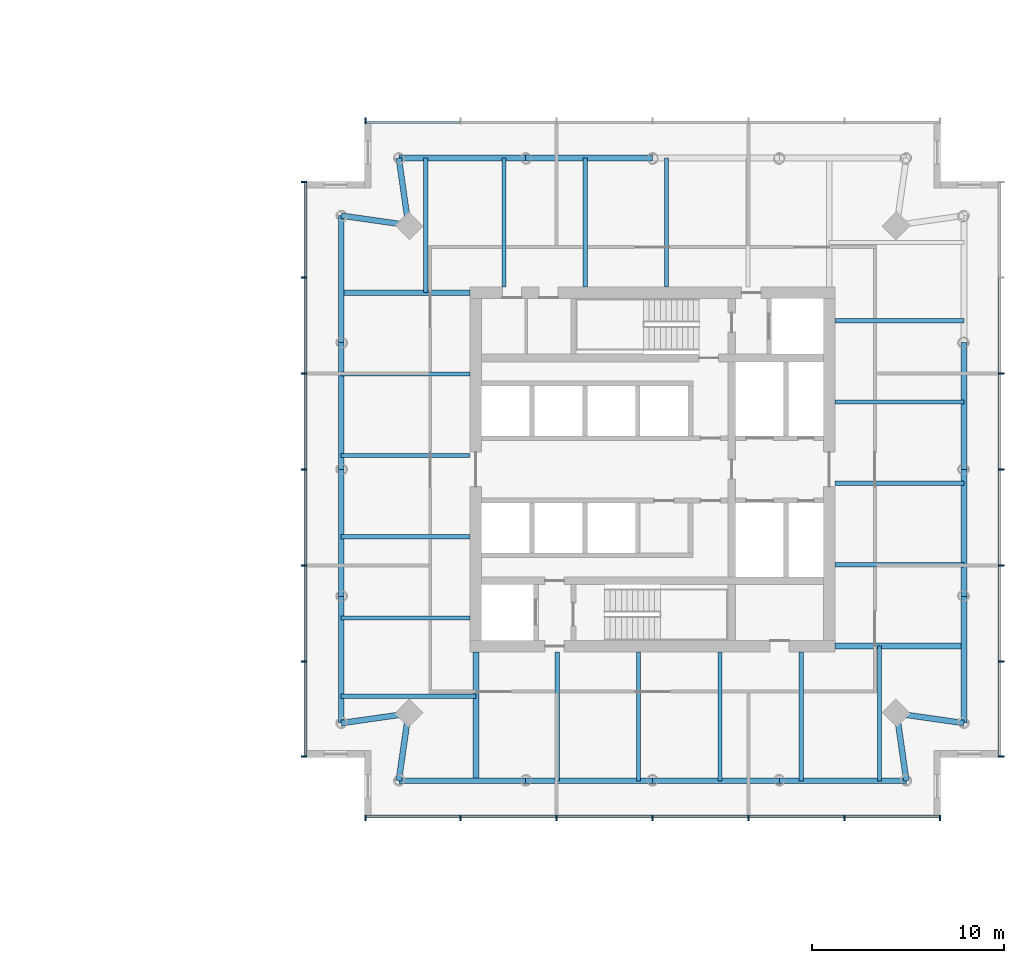
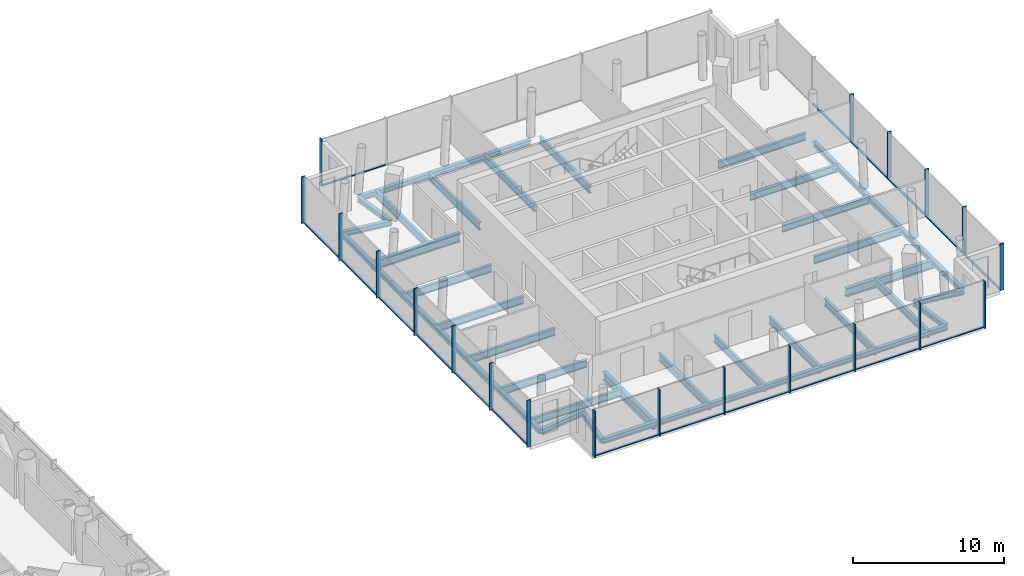
# One storey, part 6 of 18: 40 beams, 38 members, 4 elements without a shape of their own.
"""IFC4 building model written with IfcOpenShell, lengths in metres."""

from ifc_helpers import new_model, si_unit, direction, frame, origin, origin_2d, place, context, subcontext, project, spatial, rectangle, i_section, extrude, material, material_profile, profile_set, type_object, element, aggregate, save


model = new_model("IFC4")

# Units and contexts
model_context = context("Model", 3, precision=1e-05, world=origin(), true_north=direction((0.0, 1.0)))
body_context = subcontext(model_context, "Body", "Model", "MODEL_VIEW")
ifc_project = project(units=[si_unit("LENGTHUNIT", "METRE"), si_unit("AREAUNIT", "SQUARE_METRE"), si_unit("VOLUMEUNIT", "CUBIC_METRE"), si_unit("PLANEANGLEUNIT", "RADIAN"), si_unit("MASSUNIT", "GRAM", prefix="KILO")], contexts=[model_context])

# Site, building, storey
site_placement = place(None, origin())
site = spatial("IfcSite", under=ifc_project, at=site_placement, CompositionType="ELEMENT")
building_placement = place(site_placement, origin())
building = spatial("IfcBuilding", under=site, at=building_placement, Name="Ostroluk Exchange", CompositionType="ELEMENT")
storey_placement = place(building_placement, frame((0.0, 0.0, 85.60009765625)))
storey = spatial("IfcBuildingStorey", under=building, at=storey_placement, Name="L21", CompositionType="ELEMENT", Elevation=85.60009765625)

# Beams
ifc_material_1 = material(Name="Steel S355", Category="steel")
ifc_material_profile_1 = material_profile(ifc_material_1, i_section(OverallWidth=0.300048828125, OverallDepth=0.39990234375, WebThickness=0.013427734375, FlangeThickness=0.02392578125, FilletRadius=0.027099609375, at=origin_2d()), Name="HEB 400")
ifc_profile_set_1 = profile_set([ifc_material_profile_1], Name="Steel S355")
beam_type_1 = type_object("IfcBeamType", Name="Corner edge beam HEB 400", PredefinedType="SPANDREL", material=ifc_profile_set_1)
for number, where, z_axis, x_axis, name in (
    (1, (104.284423828125, 58.715576171875, -0.47998046875), (-0.141421356237, 0.989949493661, 0.0), (-0.989949493661, -0.141421356237, 0.0), "T2 north corner edge beam a"),
    (2, (104.284423828125, 58.715576171875, -0.47998046875), (-0.989949493661, 0.141421356237, 0.0), (-0.141421356237, -0.989949493661, 0.0), "T2 north corner edge beam b"),
    (3, (104.284423828125, 33.284423828125, -0.47998046875), (-0.989949493661, -0.141421356237, 0.0), (0.141421356237, -0.989949493661, 0.0), "T2 west corner edge beam a"),
    (4, (104.284423828125, 33.284423828125, -0.47998046875), (-0.141421356237, -0.989949493661, 0.0), (0.989949493661, -0.141421356237, 0.0), "T2 west corner edge beam b"),
    (5, (129.715576171875, 33.284423828125, -0.47998046875), (0.141421356237, -0.989949493661, 0.0), (0.989949493661, 0.141421356237, 0.0), "T2 south corner edge beam a"),
    (6, (129.715576171875, 33.284423828125, -0.47998046875), (0.989949493661, -0.141421356237, 0.0), (0.141421356237, 0.989949493661, 0.0), "T2 south corner edge beam b"),
):
    element("IfcBeam", number, at=place(storey_placement, frame(where, z_axis=z_axis, x_axis=x_axis)), inside=storey, type_object=beam_type_1, Name=name, PredefinedType="SPANDREL", context=body_context, shape_type="SweptSolid", body=[
        extrude(i_section(OverallWidth=0.300048828125, OverallDepth=0.39990234375, WebThickness=0.013427734375, FlangeThickness=0.02392578125, FilletRadius=0.027099609375, at=origin_2d()), origin(), (0.0, 0.0, 1.0), 3.53564453125),
    ])
ifc_material_2 = material(Name="Steel S355", Category="steel")
ifc_material_profile_2 = material_profile(ifc_material_2, i_section(OverallWidth=0.219970703125, OverallDepth=0.60009765625, WebThickness=0.011962890625, FlangeThickness=0.01904296875, FilletRadius=0.02392578125, at=origin_2d()), Name="IPE 600")
ifc_profile_set_2 = profile_set([ifc_material_profile_2], Name="Steel S355")
beam_type_2 = type_object("IfcBeamType", Name="Floor beam IPE 600", PredefinedType="BEAM", material=ifc_profile_set_2)
for number, where, z_axis, x_axis, name in (
    (7, (126.5, 41.035888671875, -0.580078125), (1.0, 0.0, 0.0), (0.0, 1.0, 0.0), "T2 east floor beam 1"),
    (8, (126.5, 45.271728515625, -0.580078125), (1.0, 0.0, 0.0), (0.0, 1.0, 0.0), "T2 east floor beam 2"),
    (9, (126.5, 49.5078125, -0.580078125), (1.0, 0.0, 0.0), (0.0, 1.0, 0.0), "T2 east floor beam 3"),
    (10, (126.5, 53.74365234375, -0.580078125), (1.0, 0.0, 0.0), (0.0, 1.0, 0.0), "T2 east floor beam 4"),
    (11, (117.728271484375, 55.5, -0.580078125), (0.0, 1.0, 0.0), (-1.0, 0.0, 0.0), "T2 north floor beam 2"),
    (12, (113.4921875, 55.5, -0.580078125), (0.0, 1.0, 0.0), (-1.0, 0.0, 0.0), "T2 north floor beam 3"),
    (13, (109.25634765625, 55.5, -0.580078125), (0.0, 1.0, 0.0), (-1.0, 0.0, 0.0), "T2 north floor beam 4"),
):
    element("IfcBeam", number, at=place(storey_placement, frame(where, z_axis=z_axis, x_axis=x_axis)), inside=storey, type_object=beam_type_2, Name=name, PredefinedType="BEAM", context=body_context, shape_type="SweptSolid", body=[
        extrude(i_section(OverallWidth=0.219970703125, OverallDepth=0.60009765625, WebThickness=0.011962890625, FlangeThickness=0.01904296875, FilletRadius=0.02392578125, at=origin_2d()), origin(), (0.0, 0.0, 1.0), 6.715576171875),
    ])
beam_1_placement = place(storey_placement, frame((105.1845703125, 55.199951171875, -0.580078125), z_axis=(0.0, 1.0, 0.0), x_axis=(-1.0, 0.0, 0.0)))
element("IfcBeam", 14, at=beam_1_placement, inside=storey, type_object=beam_type_2, Name="T2 north floor beam 5", PredefinedType="BEAM", context=body_context, shape_type="SweptSolid", body=[
    extrude(i_section(OverallWidth=0.219970703125, OverallDepth=0.60009765625, WebThickness=0.011962890625, FlangeThickness=0.01904296875, FilletRadius=0.02392578125, at=origin_2d()), origin(), (0.0, 0.0, 1.0), 7.015625),
])
for number, where, z_axis, x_axis, name in (
    (15, (107.5, 50.964111328125, -0.580078125), (-1.0, 0.0, 0.0), (0.0, -1.0, 0.0), "T2 west floor beam 1"),
    (16, (107.5, 46.728271484375, -0.580078125), (-1.0, 0.0, 0.0), (0.0, -1.0, 0.0), "T2 west floor beam 2"),
    (17, (107.5, 42.4921875, -0.580078125), (-1.0, 0.0, 0.0), (0.0, -1.0, 0.0), "T2 west floor beam 3"),
    (18, (107.5, 38.25634765625, -0.580078125), (-1.0, 0.0, 0.0), (0.0, -1.0, 0.0), "T2 west floor beam 4"),
):
    element("IfcBeam", number, at=place(storey_placement, frame(where, z_axis=z_axis, x_axis=x_axis)), inside=storey, type_object=beam_type_2, Name=name, PredefinedType="BEAM", context=body_context, shape_type="SweptSolid", body=[
        extrude(i_section(OverallWidth=0.219970703125, OverallDepth=0.60009765625, WebThickness=0.011962890625, FlangeThickness=0.01904296875, FilletRadius=0.02392578125, at=origin_2d()), origin(), (0.0, 0.0, 1.0), 6.715576171875),
    ])
beam_2_placement = place(storey_placement, frame((107.800048828125, 34.1845703125, -0.580078125), z_axis=(-1.0, 0.0, 0.0), x_axis=(0.0, -1.0, 0.0)))
element("IfcBeam", 19, at=beam_2_placement, inside=storey, type_object=beam_type_2, Name="T2 west floor beam 5", PredefinedType="BEAM", context=body_context, shape_type="SweptSolid", body=[
    extrude(i_section(OverallWidth=0.219970703125, OverallDepth=0.60009765625, WebThickness=0.011962890625, FlangeThickness=0.01904296875, FilletRadius=0.02392578125, at=origin_2d()), origin(), (0.0, 0.0, 1.0), 7.015625),
])
for number, where, z_axis, x_axis, name in (
    (20, (112.035888671875, 36.5, -0.580078125), (0.0, -1.0, 0.0), (1.0, 0.0, 0.0), "T2 south floor beam 1"),
    (21, (116.271728515625, 36.5, -0.580078125), (0.0, -1.0, 0.0), (1.0, 0.0, 0.0), "T2 south floor beam 2"),
    (22, (120.5078125, 36.5, -0.580078125), (0.0, -1.0, 0.0), (1.0, 0.0, 0.0), "T2 south floor beam 3"),
    (23, (124.74365234375, 36.5, -0.580078125), (0.0, -1.0, 0.0), (1.0, 0.0, 0.0), "T2 south floor beam 4"),
):
    element("IfcBeam", number, at=place(storey_placement, frame(where, z_axis=z_axis, x_axis=x_axis)), inside=storey, type_object=beam_type_2, Name=name, PredefinedType="BEAM", context=body_context, shape_type="SweptSolid", body=[
        extrude(i_section(OverallWidth=0.219970703125, OverallDepth=0.60009765625, WebThickness=0.011962890625, FlangeThickness=0.01904296875, FilletRadius=0.02392578125, at=origin_2d()), origin(), (0.0, 0.0, 1.0), 6.715576171875),
    ])
beam_3_placement = place(storey_placement, frame((128.8154296875, 36.800048828125, -0.580078125), z_axis=(0.0, -1.0, 0.0), x_axis=(1.0, 0.0, 0.0)))
element("IfcBeam", 24, at=beam_3_placement, inside=storey, type_object=beam_type_2, Name="T2 south floor beam 5", PredefinedType="BEAM", context=body_context, shape_type="SweptSolid", body=[
    extrude(i_section(OverallWidth=0.219970703125, OverallDepth=0.60009765625, WebThickness=0.011962890625, FlangeThickness=0.01904296875, FilletRadius=0.02392578125, at=origin_2d()), origin(), (0.0, 0.0, 1.0), 7.015625),
])
ifc_material_3 = material(Name="Steel S355", Category="steel")
ifc_material_profile_3 = material_profile(ifc_material_3, i_section(OverallWidth=0.300048828125, OverallDepth=0.699951171875, WebThickness=0.01708984375, FlangeThickness=0.031982421875, FilletRadius=0.027099609375, at=origin_2d()), Name="HEB 700")
ifc_profile_set_3 = profile_set([ifc_material_profile_3], Name="Steel S355")
beam_type_3 = type_object("IfcBeamType", Name="Girder HEB 700", PredefinedType="BEAM", material=ifc_profile_set_3)
for number, where, z_axis, x_axis, name in (
    (25, (107.5, 55.199951171875, -0.630126953125), (-1.0, 0.0, 0.0), (0.0, -1.0, 0.0), "T2 north girder"),
    (26, (107.800048828125, 36.5, -0.630126953125), (0.0, -1.0, 0.0), (1.0, 0.0, 0.0), "T2 west girder"),
    (27, (126.5, 36.800048828125, -0.630126953125), (1.0, 0.0, 0.0), (0.0, 1.0, 0.0), "T2 south girder"),
):
    element("IfcBeam", number, at=place(storey_placement, frame(where, z_axis=z_axis, x_axis=x_axis)), inside=storey, type_object=beam_type_3, Name=name, PredefinedType="BEAM", context=body_context, shape_type="SweptSolid", body=[
        extrude(i_section(OverallWidth=0.300048828125, OverallDepth=0.699951171875, WebThickness=0.01708984375, FlangeThickness=0.031982421875, FilletRadius=0.027099609375, at=origin_2d()), origin(), (0.0, 0.0, 1.0), 6.715576171875),
    ])
ifc_material_4 = material(Name="Steel S355", Category="steel")
ifc_material_profile_4 = material_profile(ifc_material_4, i_section(OverallWidth=0.300048828125, OverallDepth=0.39990234375, WebThickness=0.013427734375, FlangeThickness=0.02392578125, FilletRadius=0.027099609375, at=origin_2d()), Name="HEB 400")
ifc_profile_set_4 = profile_set([ifc_material_profile_4], Name="Steel S355")
beam_type_4 = type_object("IfcBeamType", Name="Moment-connected edge beam HEB 400", PredefinedType="SPANDREL", material=ifc_profile_set_4)
beam_4_placement = place(storey_placement, frame((133.215576171875, 32.784423828125, -0.47998046875), z_axis=(0.0, 1.0, 0.0), x_axis=(-1.0, 0.0, 0.0)))
element("IfcBeam", 28, at=beam_4_placement, inside=storey, type_object=beam_type_4, Name="T2 east edge beam 1", PredefinedType="SPANDREL", context=body_context, shape_type="SweptSolid", body=[
    extrude(i_section(OverallWidth=0.300048828125, OverallDepth=0.39990234375, WebThickness=0.013427734375, FlangeThickness=0.02392578125, FilletRadius=0.027099609375, at=origin_2d()), origin(), (0.0, 0.0, 1.0), 6.60791015625),
])
for number, where, z_axis, x_axis, name in (
    (29, (133.215576171875, 39.392333984375, -0.47998046875), (0.0, 1.0, 0.0), (-1.0, 0.0, 0.0), "T2 east edge beam 2"),
    (30, (133.215576171875, 46.0, -0.47998046875), (0.0, 1.0, 0.0), (-1.0, 0.0, 0.0), "T2 east edge beam 3"),
    (31, (117.0, 62.215576171875, -0.47998046875), (-1.0, 0.0, 0.0), (0.0, -1.0, 0.0), "T2 north edge beam 3"),
):
    element("IfcBeam", number, at=place(storey_placement, frame(where, z_axis=z_axis, x_axis=x_axis)), inside=storey, type_object=beam_type_4, Name=name, PredefinedType="SPANDREL", context=body_context, shape_type="SweptSolid", body=[
        extrude(i_section(OverallWidth=0.300048828125, OverallDepth=0.39990234375, WebThickness=0.013427734375, FlangeThickness=0.02392578125, FilletRadius=0.027099609375, at=origin_2d()), origin(), (0.0, 0.0, 1.0), 6.607666015625),
    ])
for number, where, z_axis, x_axis, name in (
    (32, (110.392333984375, 62.215576171875, -0.47998046875), (-1.0, 0.0, 0.0), (0.0, -1.0, 0.0), "T2 north edge beam 4"),
    (33, (100.784423828125, 59.215576171875, -0.47998046875), (0.0, -1.0, 0.0), (1.0, 0.0, 0.0), "T2 west edge beam 1"),
):
    element("IfcBeam", number, at=place(storey_placement, frame(where, z_axis=z_axis, x_axis=x_axis)), inside=storey, type_object=beam_type_4, Name=name, PredefinedType="SPANDREL", context=body_context, shape_type="SweptSolid", body=[
        extrude(i_section(OverallWidth=0.300048828125, OverallDepth=0.39990234375, WebThickness=0.013427734375, FlangeThickness=0.02392578125, FilletRadius=0.027099609375, at=origin_2d()), origin(), (0.0, 0.0, 1.0), 6.60791015625),
    ])
for number, where, z_axis, x_axis, name in (
    (34, (100.784423828125, 52.607666015625, -0.47998046875), (0.0, -1.0, 0.0), (1.0, 0.0, 0.0), "T2 west edge beam 2"),
    (35, (100.784423828125, 46.0, -0.47998046875), (0.0, -1.0, 0.0), (1.0, 0.0, 0.0), "T2 west edge beam 3"),
):
    element("IfcBeam", number, at=place(storey_placement, frame(where, z_axis=z_axis, x_axis=x_axis)), inside=storey, type_object=beam_type_4, Name=name, PredefinedType="SPANDREL", context=body_context, shape_type="SweptSolid", body=[
        extrude(i_section(OverallWidth=0.300048828125, OverallDepth=0.39990234375, WebThickness=0.013427734375, FlangeThickness=0.02392578125, FilletRadius=0.027099609375, at=origin_2d()), origin(), (0.0, 0.0, 1.0), 6.607666015625),
    ])
for number, where, z_axis, x_axis, name in (
    (36, (100.784423828125, 39.392333984375, -0.47998046875), (0.0, -1.0, 0.0), (1.0, 0.0, 0.0), "T2 west edge beam 4"),
    (37, (103.784423828125, 29.784423828125, -0.47998046875), (1.0, 0.0, 0.0), (0.0, 1.0, 0.0), "T2 south edge beam 1"),
):
    element("IfcBeam", number, at=place(storey_placement, frame(where, z_axis=z_axis, x_axis=x_axis)), inside=storey, type_object=beam_type_4, Name=name, PredefinedType="SPANDREL", context=body_context, shape_type="SweptSolid", body=[
        extrude(i_section(OverallWidth=0.300048828125, OverallDepth=0.39990234375, WebThickness=0.013427734375, FlangeThickness=0.02392578125, FilletRadius=0.027099609375, at=origin_2d()), origin(), (0.0, 0.0, 1.0), 6.60791015625),
    ])
for number, where, z_axis, x_axis, name in (
    (38, (110.392333984375, 29.784423828125, -0.47998046875), (1.0, 0.0, 0.0), (0.0, 1.0, 0.0), "T2 south edge beam 2"),
    (39, (117.0, 29.784423828125, -0.47998046875), (1.0, 0.0, 0.0), (0.0, 1.0, 0.0), "T2 south edge beam 3"),
):
    element("IfcBeam", number, at=place(storey_placement, frame(where, z_axis=z_axis, x_axis=x_axis)), inside=storey, type_object=beam_type_4, Name=name, PredefinedType="SPANDREL", context=body_context, shape_type="SweptSolid", body=[
        extrude(i_section(OverallWidth=0.300048828125, OverallDepth=0.39990234375, WebThickness=0.013427734375, FlangeThickness=0.02392578125, FilletRadius=0.027099609375, at=origin_2d()), origin(), (0.0, 0.0, 1.0), 6.607666015625),
    ])
beam_5_placement = place(storey_placement, frame((123.607666015625, 29.784423828125, -0.47998046875), z_axis=(1.0, 0.0, 0.0), x_axis=(0.0, 1.0, 0.0)))
element("IfcBeam", 40, at=beam_5_placement, inside=storey, type_object=beam_type_4, Name="T2 south edge beam 4", PredefinedType="SPANDREL", context=body_context, shape_type="SweptSolid", body=[
    extrude(i_section(OverallWidth=0.300048828125, OverallDepth=0.39990234375, WebThickness=0.013427734375, FlangeThickness=0.02392578125, FilletRadius=0.027099609375, at=origin_2d()), origin(), (0.0, 0.0, 1.0), 6.60791015625),
])

# Curtain wall, members
ifc_material_5 = material(Name="Laminated clear glass", Category="glass")
curtain_wall_type = type_object("IfcCurtainWallType", Name="Hotel amenity and plant facade", PredefinedType="USERDEFINED", material=ifc_material_5)
curtain_wall_1_placement = place(storey_placement, origin())
curtain_wall_1 = element("IfcCurtainWall", 41, at=curtain_wall_1_placement, inside=storey, type_object=curtain_wall_type, Name="Hotel tower south facade L21", ObjectType="LOUVRED CURTAIN WALL", PredefinedType="USERDEFINED")
ifc_material_6 = material(Name="Aluminium mullion", Category="aluminium")
ifc_material_profile_5 = material_profile(ifc_material_6, rectangle(XDim=0.14990234375, YDim=0.080078125, at=origin_2d()), Name="Sill transom 80 x 150")
ifc_profile_set_5 = profile_set([ifc_material_profile_5], Name="Aluminium mullion")
member_type_1 = type_object("IfcMemberType", Name="Sill transom 80 x 150", PredefinedType="USERDEFINED", material=ifc_profile_set_5)
member_1_placement = place(storey_placement, frame((102.080078125, 27.925048828125, 0.039794921875), z_axis=(1.0, 0.0, 0.0), x_axis=(0.0, 1.0, 0.0)))
member_1 = element("IfcMember", 42, at=member_1_placement, type_object=member_type_1, Name="CW-H2 transom 1.1", ObjectType="TRANSOM", PredefinedType="USERDEFINED", context=body_context, shape_type="SweptSolid", body=[
    extrude(rectangle(XDim=0.14990234375, YDim=0.080078125, at=origin_2d()), origin(), (0.0, 0.0, 1.0), 4.8798828125),
])
member_2_placement = place(storey_placement, frame((107.0400390625, 27.925048828125, 0.039794921875), z_axis=(1.0, 0.0, 0.0), x_axis=(0.0, 1.0, 0.0)))
member_2 = element("IfcMember", 43, at=member_2_placement, type_object=member_type_1, Name="CW-H2 transom 2.1", ObjectType="TRANSOM", PredefinedType="USERDEFINED", context=body_context, shape_type="SweptSolid", body=[
    extrude(rectangle(XDim=0.14990234375, YDim=0.080078125, at=origin_2d()), origin(), (0.0, 0.0, 1.0), 4.919921875),
])
member_3_placement = place(storey_placement, frame((112.0400390625, 27.925048828125, 0.039794921875), z_axis=(1.0, 0.0, 0.0), x_axis=(0.0, 1.0, 0.0)))
member_3 = element("IfcMember", 44, at=member_3_placement, type_object=member_type_1, Name="CW-H2 transom 3.1", ObjectType="TRANSOM", PredefinedType="USERDEFINED", context=body_context, shape_type="SweptSolid", body=[
    extrude(rectangle(XDim=0.14990234375, YDim=0.080078125, at=origin_2d()), origin(), (0.0, 0.0, 1.0), 4.919921875),
])
member_4_placement = place(storey_placement, frame((117.0400390625, 27.925048828125, 0.039794921875), z_axis=(1.0, 0.0, 0.0), x_axis=(0.0, 1.0, 0.0)))
member_4 = element("IfcMember", 45, at=member_4_placement, type_object=member_type_1, Name="CW-H2 transom 4.1", ObjectType="TRANSOM", PredefinedType="USERDEFINED", context=body_context, shape_type="SweptSolid", body=[
    extrude(rectangle(XDim=0.14990234375, YDim=0.080078125, at=origin_2d()), origin(), (0.0, 0.0, 1.0), 4.919921875),
])
member_5_placement = place(storey_placement, frame((122.0400390625, 27.925048828125, 0.039794921875), z_axis=(1.0, 0.0, 0.0), x_axis=(0.0, 1.0, 0.0)))
member_5 = element("IfcMember", 46, at=member_5_placement, type_object=member_type_1, Name="CW-H2 transom 5.1", ObjectType="TRANSOM", PredefinedType="USERDEFINED", context=body_context, shape_type="SweptSolid", body=[
    extrude(rectangle(XDim=0.14990234375, YDim=0.080078125, at=origin_2d()), origin(), (0.0, 0.0, 1.0), 4.919921875),
])
member_6_placement = place(storey_placement, frame((127.0400390625, 27.925048828125, 0.039794921875), z_axis=(1.0, 0.0, 0.0), x_axis=(0.0, 1.0, 0.0)))
member_6 = element("IfcMember", 47, at=member_6_placement, type_object=member_type_1, Name="CW-H2 transom 6.1", ObjectType="TRANSOM", PredefinedType="USERDEFINED", context=body_context, shape_type="SweptSolid", body=[
    extrude(rectangle(XDim=0.14990234375, YDim=0.080078125, at=origin_2d()), origin(), (0.0, 0.0, 1.0), 4.8798828125),
])

curtain_wall_2_placement = place(storey_placement, origin())
curtain_wall_2 = element("IfcCurtainWall", 48, at=curtain_wall_2_placement, inside=storey, type_object=curtain_wall_type, Name="Hotel tower east facade L21", ObjectType="LOUVRED CURTAIN WALL", PredefinedType="USERDEFINED")
member_7_placement = place(storey_placement, frame((135.074951171875, 31.080078125, 0.039794921875), z_axis=(0.0, 1.0, 0.0), x_axis=(-1.0, 0.0, 0.0)))
member_7 = element("IfcMember", 49, at=member_7_placement, type_object=member_type_1, Name="CW-H2 transom 1.1", ObjectType="TRANSOM", PredefinedType="USERDEFINED", context=body_context, shape_type="SweptSolid", body=[
    extrude(rectangle(XDim=0.14990234375, YDim=0.080078125, at=origin_2d()), origin(), (0.0, 0.0, 1.0), 4.8798828125),
])
member_8_placement = place(storey_placement, frame((135.074951171875, 36.0400390625, 0.039794921875), z_axis=(0.0, 1.0, 0.0), x_axis=(-1.0, 0.0, 0.0)))
member_8 = element("IfcMember", 50, at=member_8_placement, type_object=member_type_1, Name="CW-H2 transom 2.1", ObjectType="TRANSOM", PredefinedType="USERDEFINED", context=body_context, shape_type="SweptSolid", body=[
    extrude(rectangle(XDim=0.14990234375, YDim=0.080078125, at=origin_2d()), origin(), (0.0, 0.0, 1.0), 4.919921875),
])
member_9_placement = place(storey_placement, frame((135.074951171875, 41.0400390625, 0.039794921875), z_axis=(0.0, 1.0, 0.0), x_axis=(-1.0, 0.0, 0.0)))
member_9 = element("IfcMember", 51, at=member_9_placement, type_object=member_type_1, Name="CW-H2 transom 3.1", ObjectType="TRANSOM", PredefinedType="USERDEFINED", context=body_context, shape_type="SweptSolid", body=[
    extrude(rectangle(XDim=0.14990234375, YDim=0.080078125, at=origin_2d()), origin(), (0.0, 0.0, 1.0), 4.919921875),
])
member_10_placement = place(storey_placement, frame((135.074951171875, 46.0400390625, 0.039794921875), z_axis=(0.0, 1.0, 0.0), x_axis=(-1.0, 0.0, 0.0)))
member_10 = element("IfcMember", 52, at=member_10_placement, type_object=member_type_1, Name="CW-H2 transom 4.1", ObjectType="TRANSOM", PredefinedType="USERDEFINED", context=body_context, shape_type="SweptSolid", body=[
    extrude(rectangle(XDim=0.14990234375, YDim=0.080078125, at=origin_2d()), origin(), (0.0, 0.0, 1.0), 4.919921875),
])
member_11_placement = place(storey_placement, frame((135.074951171875, 51.0400390625, 0.039794921875), z_axis=(0.0, 1.0, 0.0), x_axis=(-1.0, 0.0, 0.0)))
member_11 = element("IfcMember", 53, at=member_11_placement, type_object=member_type_1, Name="CW-H2 transom 5.1", ObjectType="TRANSOM", PredefinedType="USERDEFINED", context=body_context, shape_type="SweptSolid", body=[
    extrude(rectangle(XDim=0.14990234375, YDim=0.080078125, at=origin_2d()), origin(), (0.0, 0.0, 1.0), 4.919921875),
])

# Curtain wall, member
curtain_wall_3_placement = place(storey_placement, origin())
curtain_wall_3 = element("IfcCurtainWall", 54, at=curtain_wall_3_placement, inside=storey, type_object=curtain_wall_type, Name="Hotel tower north facade L21", ObjectType="LOUVRED CURTAIN WALL", PredefinedType="USERDEFINED")
member_12_placement = place(storey_placement, frame((106.9599609375, 64.074951171875, 0.039794921875), z_axis=(-1.0, 0.0, 0.0), x_axis=(0.0, -1.0, 0.0)))
member_12 = element("IfcMember", 55, at=member_12_placement, type_object=member_type_1, Name="CW-H2 transom 6.1", ObjectType="TRANSOM", PredefinedType="USERDEFINED", context=body_context, shape_type="SweptSolid", body=[
    extrude(rectangle(XDim=0.14990234375, YDim=0.080078125, at=origin_2d()), origin(), (0.0, 0.0, 1.0), 4.8798828125),
])

# Curtain wall, members
curtain_wall_4_placement = place(storey_placement, origin())
curtain_wall_4 = element("IfcCurtainWall", 56, at=curtain_wall_4_placement, inside=storey, type_object=curtain_wall_type, Name="Hotel tower west facade L21", ObjectType="LOUVRED CURTAIN WALL", PredefinedType="USERDEFINED")
member_13_placement = place(storey_placement, frame((98.925048828125, 60.919921875, 0.039794921875), z_axis=(0.0, -1.0, 0.0), x_axis=(1.0, 0.0, 0.0)))
member_13 = element("IfcMember", 57, at=member_13_placement, type_object=member_type_1, Name="CW-H2 transom 1.1", ObjectType="TRANSOM", PredefinedType="USERDEFINED", context=body_context, shape_type="SweptSolid", body=[
    extrude(rectangle(XDim=0.14990234375, YDim=0.080078125, at=origin_2d()), origin(), (0.0, 0.0, 1.0), 4.8798828125),
])
member_14_placement = place(storey_placement, frame((98.925048828125, 55.9599609375, 0.039794921875), z_axis=(0.0, -1.0, 0.0), x_axis=(1.0, 0.0, 0.0)))
member_14 = element("IfcMember", 58, at=member_14_placement, type_object=member_type_1, Name="CW-H2 transom 2.1", ObjectType="TRANSOM", PredefinedType="USERDEFINED", context=body_context, shape_type="SweptSolid", body=[
    extrude(rectangle(XDim=0.14990234375, YDim=0.080078125, at=origin_2d()), origin(), (0.0, 0.0, 1.0), 4.919921875),
])
member_15_placement = place(storey_placement, frame((98.925048828125, 50.9599609375, 0.039794921875), z_axis=(0.0, -1.0, 0.0), x_axis=(1.0, 0.0, 0.0)))
member_15 = element("IfcMember", 59, at=member_15_placement, type_object=member_type_1, Name="CW-H2 transom 3.1", ObjectType="TRANSOM", PredefinedType="USERDEFINED", context=body_context, shape_type="SweptSolid", body=[
    extrude(rectangle(XDim=0.14990234375, YDim=0.080078125, at=origin_2d()), origin(), (0.0, 0.0, 1.0), 4.919921875),
])
member_16_placement = place(storey_placement, frame((98.925048828125, 45.9599609375, 0.039794921875), z_axis=(0.0, -1.0, 0.0), x_axis=(1.0, 0.0, 0.0)))
member_16 = element("IfcMember", 60, at=member_16_placement, type_object=member_type_1, Name="CW-H2 transom 4.1", ObjectType="TRANSOM", PredefinedType="USERDEFINED", context=body_context, shape_type="SweptSolid", body=[
    extrude(rectangle(XDim=0.14990234375, YDim=0.080078125, at=origin_2d()), origin(), (0.0, 0.0, 1.0), 4.919921875),
])
member_17_placement = place(storey_placement, frame((98.925048828125, 40.9599609375, 0.039794921875), z_axis=(0.0, -1.0, 0.0), x_axis=(1.0, 0.0, 0.0)))
member_17 = element("IfcMember", 61, at=member_17_placement, type_object=member_type_1, Name="CW-H2 transom 5.1", ObjectType="TRANSOM", PredefinedType="USERDEFINED", context=body_context, shape_type="SweptSolid", body=[
    extrude(rectangle(XDim=0.14990234375, YDim=0.080078125, at=origin_2d()), origin(), (0.0, 0.0, 1.0), 4.919921875),
])
member_18_placement = place(storey_placement, frame((98.925048828125, 35.9599609375, 0.039794921875), z_axis=(0.0, -1.0, 0.0), x_axis=(1.0, 0.0, 0.0)))
member_18 = element("IfcMember", 62, at=member_18_placement, type_object=member_type_1, Name="CW-H2 transom 6.1", ObjectType="TRANSOM", PredefinedType="USERDEFINED", context=body_context, shape_type="SweptSolid", body=[
    extrude(rectangle(XDim=0.14990234375, YDim=0.080078125, at=origin_2d()), origin(), (0.0, 0.0, 1.0), 4.8798828125),
])

# Member
ifc_material_7 = material(Name="Aluminium mullion with limestone facing", Category="masonry")
ifc_material_profile_6 = material_profile(ifc_material_7, rectangle(XDim=0.300048828125, YDim=0.080078125, at=origin_2d()), Name="Tracery mullion 80 x 300")
ifc_profile_set_6 = profile_set([ifc_material_profile_6], Name="Aluminium mullion with limestone facing")
member_type_2 = type_object("IfcMemberType", Name="Tracery mullion 80 x 300", PredefinedType="MULLION", material=ifc_profile_set_6)
member_19_placement = place(storey_placement, frame((102.0400390625, 27.85009765625, 0.0), z_axis=(0.0, 0.0, 1.0), x_axis=(0.0, 1.0, 0.0)))
member_19 = element("IfcMember", 63, at=member_19_placement, type_object=member_type_2, Name="CW-H2 mullion 1", PredefinedType="MULLION", context=body_context, shape_type="SweptSolid", body=[
    extrude(rectangle(XDim=0.300048828125, YDim=0.080078125, at=origin_2d()), origin(), (0.0, 0.0, 1.0), 3.7998046875),
])

member_20_placement = place(storey_placement, frame((107.0, 27.85009765625, 0.0), z_axis=(0.0, 0.0, 1.0), x_axis=(0.0, 1.0, 0.0)))
member_20 = element("IfcMember", 64, at=member_20_placement, type_object=member_type_2, Name="CW-H2 mullion 2", PredefinedType="MULLION", context=body_context, shape_type="SweptSolid", body=[
    extrude(rectangle(XDim=0.300048828125, YDim=0.080078125, at=origin_2d()), origin(), (0.0, 0.0, 1.0), 3.7998046875),
])

member_21_placement = place(storey_placement, frame((112.0, 27.85009765625, 0.0), z_axis=(0.0, 0.0, 1.0), x_axis=(0.0, 1.0, 0.0)))
member_21 = element("IfcMember", 65, at=member_21_placement, type_object=member_type_2, Name="CW-H2 mullion 3", PredefinedType="MULLION", context=body_context, shape_type="SweptSolid", body=[
    extrude(rectangle(XDim=0.300048828125, YDim=0.080078125, at=origin_2d()), origin(), (0.0, 0.0, 1.0), 3.7998046875),
])

member_22_placement = place(storey_placement, frame((117.0, 27.85009765625, 0.0), z_axis=(0.0, 0.0, 1.0), x_axis=(0.0, 1.0, 0.0)))
member_22 = element("IfcMember", 66, at=member_22_placement, type_object=member_type_2, Name="CW-H2 mullion 4", PredefinedType="MULLION", context=body_context, shape_type="SweptSolid", body=[
    extrude(rectangle(XDim=0.300048828125, YDim=0.080078125, at=origin_2d()), origin(), (0.0, 0.0, 1.0), 3.7998046875),
])

member_23_placement = place(storey_placement, frame((122.0, 27.85009765625, 0.0), z_axis=(0.0, 0.0, 1.0), x_axis=(0.0, 1.0, 0.0)))
member_23 = element("IfcMember", 67, at=member_23_placement, type_object=member_type_2, Name="CW-H2 mullion 5", PredefinedType="MULLION", context=body_context, shape_type="SweptSolid", body=[
    extrude(rectangle(XDim=0.300048828125, YDim=0.080078125, at=origin_2d()), origin(), (0.0, 0.0, 1.0), 3.7998046875),
])

member_24_placement = place(storey_placement, frame((127.0, 27.85009765625, 0.0), z_axis=(0.0, 0.0, 1.0), x_axis=(0.0, 1.0, 0.0)))
member_24 = element("IfcMember", 68, at=member_24_placement, type_object=member_type_2, Name="CW-H2 mullion 6", PredefinedType="MULLION", context=body_context, shape_type="SweptSolid", body=[
    extrude(rectangle(XDim=0.300048828125, YDim=0.080078125, at=origin_2d()), origin(), (0.0, 0.0, 1.0), 3.7998046875),
])

member_25_placement = place(storey_placement, frame((131.9599609375, 27.85009765625, 0.0), z_axis=(0.0, 0.0, 1.0), x_axis=(0.0, 1.0, 0.0)))
member_25 = element("IfcMember", 69, at=member_25_placement, type_object=member_type_2, Name="CW-H2 mullion 7", PredefinedType="MULLION", context=body_context, shape_type="SweptSolid", body=[
    extrude(rectangle(XDim=0.300048828125, YDim=0.080078125, at=origin_2d()), origin(), (0.0, 0.0, 1.0), 3.7998046875),
])

aggregate(curtain_wall_1, [member_19, member_20, member_21, member_22, member_23, member_24, member_25, member_1, member_2, member_3, member_4, member_5, member_6])

member_26_placement = place(storey_placement, frame((135.14990234375, 31.0400390625, 0.0), z_axis=(0.0, 0.0, 1.0), x_axis=(-1.0, 0.0, 0.0)))
member_26 = element("IfcMember", 70, at=member_26_placement, type_object=member_type_2, Name="CW-H2 mullion 1", PredefinedType="MULLION", context=body_context, shape_type="SweptSolid", body=[
    extrude(rectangle(XDim=0.300048828125, YDim=0.080078125, at=origin_2d()), origin(), (0.0, 0.0, 1.0), 3.7998046875),
])

member_27_placement = place(storey_placement, frame((135.14990234375, 36.0, 0.0), z_axis=(0.0, 0.0, 1.0), x_axis=(-1.0, 0.0, 0.0)))
member_27 = element("IfcMember", 71, at=member_27_placement, type_object=member_type_2, Name="CW-H2 mullion 2", PredefinedType="MULLION", context=body_context, shape_type="SweptSolid", body=[
    extrude(rectangle(XDim=0.300048828125, YDim=0.080078125, at=origin_2d()), origin(), (0.0, 0.0, 1.0), 3.7998046875),
])

member_28_placement = place(storey_placement, frame((135.14990234375, 41.0, 0.0), z_axis=(0.0, 0.0, 1.0), x_axis=(-1.0, 0.0, 0.0)))
member_28 = element("IfcMember", 72, at=member_28_placement, type_object=member_type_2, Name="CW-H2 mullion 3", PredefinedType="MULLION", context=body_context, shape_type="SweptSolid", body=[
    extrude(rectangle(XDim=0.300048828125, YDim=0.080078125, at=origin_2d()), origin(), (0.0, 0.0, 1.0), 3.7998046875),
])

member_29_placement = place(storey_placement, frame((135.14990234375, 46.0, 0.0), z_axis=(0.0, 0.0, 1.0), x_axis=(-1.0, 0.0, 0.0)))
member_29 = element("IfcMember", 73, at=member_29_placement, type_object=member_type_2, Name="CW-H2 mullion 4", PredefinedType="MULLION", context=body_context, shape_type="SweptSolid", body=[
    extrude(rectangle(XDim=0.300048828125, YDim=0.080078125, at=origin_2d()), origin(), (0.0, 0.0, 1.0), 3.7998046875),
])

member_30_placement = place(storey_placement, frame((135.14990234375, 51.0, 0.0), z_axis=(0.0, 0.0, 1.0), x_axis=(-1.0, 0.0, 0.0)))
member_30 = element("IfcMember", 74, at=member_30_placement, type_object=member_type_2, Name="CW-H2 mullion 5", PredefinedType="MULLION", context=body_context, shape_type="SweptSolid", body=[
    extrude(rectangle(XDim=0.300048828125, YDim=0.080078125, at=origin_2d()), origin(), (0.0, 0.0, 1.0), 3.7998046875),
])

aggregate(curtain_wall_2, [member_26, member_27, member_28, member_29, member_30, member_7, member_8, member_9, member_10, member_11])

member_31_placement = place(storey_placement, frame((102.0400390625, 64.14990234375, 0.0), z_axis=(0.0, 0.0, 1.0), x_axis=(0.0, -1.0, 0.0)))
member_31 = element("IfcMember", 75, at=member_31_placement, type_object=member_type_2, Name="CW-H2 mullion 7", PredefinedType="MULLION", context=body_context, shape_type="SweptSolid", body=[
    extrude(rectangle(XDim=0.300048828125, YDim=0.080078125, at=origin_2d()), origin(), (0.0, 0.0, 1.0), 3.7998046875),
])

aggregate(curtain_wall_3, [member_31, member_12])

member_32_placement = place(storey_placement, frame((98.85009765625, 60.9599609375, 0.0), z_axis=(0.0, 0.0, 1.0), x_axis=(1.0, 0.0, 0.0)))
member_32 = element("IfcMember", 76, at=member_32_placement, type_object=member_type_2, Name="CW-H2 mullion 1", PredefinedType="MULLION", context=body_context, shape_type="SweptSolid", body=[
    extrude(rectangle(XDim=0.300048828125, YDim=0.080078125, at=origin_2d()), origin(), (0.0, 0.0, 1.0), 3.7998046875),
])

member_33_placement = place(storey_placement, frame((98.85009765625, 56.0, 0.0), z_axis=(0.0, 0.0, 1.0), x_axis=(1.0, 0.0, 0.0)))
member_33 = element("IfcMember", 77, at=member_33_placement, type_object=member_type_2, Name="CW-H2 mullion 2", PredefinedType="MULLION", context=body_context, shape_type="SweptSolid", body=[
    extrude(rectangle(XDim=0.300048828125, YDim=0.080078125, at=origin_2d()), origin(), (0.0, 0.0, 1.0), 3.7998046875),
])

member_34_placement = place(storey_placement, frame((98.85009765625, 51.0, 0.0), z_axis=(0.0, 0.0, 1.0), x_axis=(1.0, 0.0, 0.0)))
member_34 = element("IfcMember", 78, at=member_34_placement, type_object=member_type_2, Name="CW-H2 mullion 3", PredefinedType="MULLION", context=body_context, shape_type="SweptSolid", body=[
    extrude(rectangle(XDim=0.300048828125, YDim=0.080078125, at=origin_2d()), origin(), (0.0, 0.0, 1.0), 3.7998046875),
])

member_35_placement = place(storey_placement, frame((98.85009765625, 46.0, 0.0), z_axis=(0.0, 0.0, 1.0), x_axis=(1.0, 0.0, 0.0)))
member_35 = element("IfcMember", 79, at=member_35_placement, type_object=member_type_2, Name="CW-H2 mullion 4", PredefinedType="MULLION", context=body_context, shape_type="SweptSolid", body=[
    extrude(rectangle(XDim=0.300048828125, YDim=0.080078125, at=origin_2d()), origin(), (0.0, 0.0, 1.0), 3.7998046875),
])

member_36_placement = place(storey_placement, frame((98.85009765625, 41.0, 0.0), z_axis=(0.0, 0.0, 1.0), x_axis=(1.0, 0.0, 0.0)))
member_36 = element("IfcMember", 80, at=member_36_placement, type_object=member_type_2, Name="CW-H2 mullion 5", PredefinedType="MULLION", context=body_context, shape_type="SweptSolid", body=[
    extrude(rectangle(XDim=0.300048828125, YDim=0.080078125, at=origin_2d()), origin(), (0.0, 0.0, 1.0), 3.7998046875),
])

member_37_placement = place(storey_placement, frame((98.85009765625, 36.0, 0.0), z_axis=(0.0, 0.0, 1.0), x_axis=(1.0, 0.0, 0.0)))
member_37 = element("IfcMember", 81, at=member_37_placement, type_object=member_type_2, Name="CW-H2 mullion 6", PredefinedType="MULLION", context=body_context, shape_type="SweptSolid", body=[
    extrude(rectangle(XDim=0.300048828125, YDim=0.080078125, at=origin_2d()), origin(), (0.0, 0.0, 1.0), 3.7998046875),
])

member_38_placement = place(storey_placement, frame((98.85009765625, 31.0400390625, 0.0), z_axis=(0.0, 0.0, 1.0), x_axis=(1.0, 0.0, 0.0)))
member_38 = element("IfcMember", 82, at=member_38_placement, type_object=member_type_2, Name="CW-H2 mullion 7", PredefinedType="MULLION", context=body_context, shape_type="SweptSolid", body=[
    extrude(rectangle(XDim=0.300048828125, YDim=0.080078125, at=origin_2d()), origin(), (0.0, 0.0, 1.0), 3.7998046875),
])

aggregate(curtain_wall_4, [member_32, member_33, member_34, member_35, member_36, member_37, member_38, member_13, member_14, member_15, member_16, member_17, member_18])

save(model, "model.ifc")
